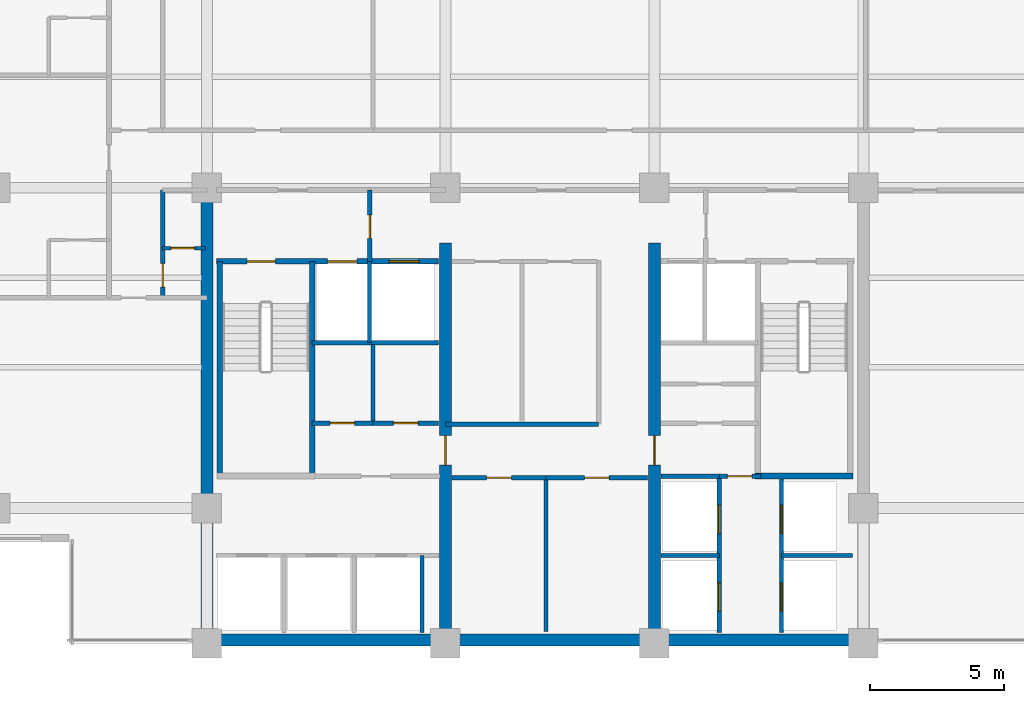
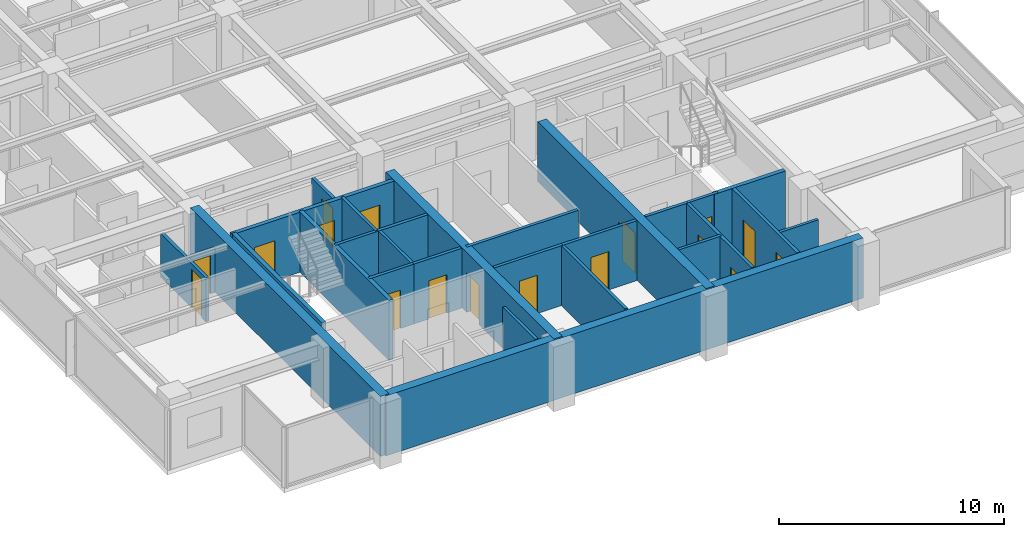
# One storey, part 7 of 15: 27 walls, 17 doors, 17 openings.
"""IFC4 building model written with IfcOpenShell, lengths in metres."""

from ifc_helpers import new_model, si_unit, direction, frame, frame_2d, origin, place, context, subcontext, project, spatial, rectangle, extrude, material, layer, layer_set, type_object, element, fill, save


model = new_model("IFC4")

# Units and contexts
model_context = context("Model", 3, precision=1e-05, world=origin(), true_north=direction((0.0, 1.0)))
body_context = subcontext(model_context, "Body", "Model", "MODEL_VIEW")
ifc_project = project(units=[si_unit("LENGTHUNIT", "METRE"), si_unit("AREAUNIT", "SQUARE_METRE"), si_unit("VOLUMEUNIT", "CUBIC_METRE"), si_unit("PLANEANGLEUNIT", "RADIAN"), si_unit("MASSUNIT", "GRAM", prefix="KILO")], contexts=[model_context])

# Site, building, storey
site_placement = place(None, origin())
site = spatial("IfcSite", under=ifc_project, at=site_placement, CompositionType="ELEMENT")
building_placement = place(site_placement, origin())
building = spatial("IfcBuilding", under=site, at=building_placement, Name="Qalmaran Belvedere Hotel", CompositionType="ELEMENT")
storey_placement = place(building_placement, frame((0.0, 0.0, 173.60009765625)))
storey = spatial("IfcBuildingStorey", under=building, at=storey_placement, Name="L44", CompositionType="ELEMENT", Elevation=173.60009765625)

# Wall
ifc_material_1 = material(Name="Concrete C50/60", Category="concrete")
ifc_layer_1 = layer(ifc_material_1, 0.449951171875, Name="Concrete C50/60")
ifc_layer_set_1 = layer_set([ifc_layer_1], Name="Concrete C50/60")
wall_type_1 = type_object("IfcWallType", Name="WL-CORE-450-C50", PredefinedType="SHEAR", material=ifc_layer_set_1)
wall_1_placement = place(storey_placement, frame((20.300048828125, 3.5, 0.0), z_axis=(0.0, 0.0, 1.0), x_axis=(0.0, 1.0, 0.0)))
element("IfcWall", 1, at=wall_1_placement, inside=storey, type_object=wall_type_1, Name="L44 West Core Shear Wall", PredefinedType="SHEAR", context=body_context, shape_type="SweptSolid", body=[
    extrude(rectangle(XDim=16.89990234375, YDim=0.449951171875, at=frame_2d((8.449951171875, 0.0))), origin(), (0.0, 0.0, 1.0), 3.25),
])

# Wall, opening, door
wall_2_placement = place(storey_placement, frame((29.199951171875, 3.5, 0.0), z_axis=(0.0, 0.0, 1.0), x_axis=(0.0, 1.0, 0.0)))
wall_2 = element("IfcWall", 2, at=wall_2_placement, inside=storey, type_object=wall_type_1, Name="L44 Core West Spine Shear Wall", PredefinedType="SHEAR", context=body_context, shape_type="SweptSolid", body=[
    extrude(rectangle(XDim=14.949951171875, YDim=0.449951171875, at=frame_2d((7.47509765625, 0.0))), origin(), (0.0, 0.0, 1.0), 3.25),
])
opening_1_placement = place(wall_2_placement, frame((7.75, 0.0, 0.0), z_axis=(0.0, 0.0, 1.0), x_axis=(-1.0, 0.0, 0.0)))
opening_1 = element("IfcOpeningElement", 3, at=opening_1_placement, cuts=wall_2, Name="Opening FD90", PredefinedType="OPENING", context=body_context, shape_type="SweptSolid", body=[
    extrude(rectangle(XDim=1.10009765625, YDim=2.14990234375, at=frame_2d((0.550048828125, 1.074951171875))), frame((0.0, 0.23486328125, 0.0), z_axis=(0.0, -1.0, 0.0), x_axis=(1.0, 0.0, 0.0)), (0.0, 0.0, 1.0), 0.469970703125),
])
ifc_material_2 = material(Name="Steel S355JR", Category="steel")
door_type_1 = type_object("IfcDoorType", Name="DR-FD90-1100X2150", OperationType="NOTDEFINED", PredefinedType="DOOR", material=ifc_material_2)
door_1_placement = place(opening_1_placement, origin())
door_1 = element("IfcDoor", 4, at=door_1_placement, inside=storey, type_object=door_type_1, Name="L44 Core West Cross-Lobby Door", OperationType="SINGLE_SWING_LEFT", OverallHeight=2.14990234375, OverallWidth=1.10009765625, PredefinedType="DOOR", context=body_context, shape_type="SweptSolid", body=[
    extrude(rectangle(XDim=1.10009765625, YDim=2.14990234375, at=frame_2d((0.550048828125, 1.074951171875))), frame((0.0, 0.02490234375, 0.0), z_axis=(0.0, -1.0, 0.0), x_axis=(1.0, 0.0, 0.0)), (0.0, 0.0, 1.0), 0.050048828125),
])
fill(opening_1, door_1)

wall_3_placement = place(storey_placement, frame((37.0, 3.5, 0.0), z_axis=(0.0, 0.0, 1.0), x_axis=(0.0, 1.0, 0.0)))
wall_3 = element("IfcWall", 5, at=wall_3_placement, inside=storey, type_object=wall_type_1, Name="L44 Core East Spine Shear Wall", PredefinedType="SHEAR", context=body_context, shape_type="SweptSolid", body=[
    extrude(rectangle(XDim=14.949951171875, YDim=0.449951171875, at=frame_2d((7.47509765625, 0.0))), origin(), (0.0, 0.0, 1.0), 3.25),
])
opening_2_placement = place(wall_3_placement, frame((6.64990234375, 0.0, 0.0)))
opening_2 = element("IfcOpeningElement", 6, at=opening_2_placement, cuts=wall_3, Name="Opening FD90", PredefinedType="OPENING", context=body_context, shape_type="SweptSolid", body=[
    extrude(rectangle(XDim=1.10009765625, YDim=2.14990234375, at=frame_2d((0.550048828125, 1.074951171875))), frame((0.0, 0.23486328125, 0.0), z_axis=(0.0, -1.0, 0.0), x_axis=(1.0, 0.0, 0.0)), (0.0, 0.0, 1.0), 0.469970703125),
])
door_2_placement = place(opening_2_placement, origin())
door_2 = element("IfcDoor", 7, at=door_2_placement, inside=storey, type_object=door_type_1, Name="L44 Core East Cross-Lobby Door", OperationType="SINGLE_SWING_RIGHT", OverallHeight=2.14990234375, OverallWidth=1.10009765625, PredefinedType="DOOR", context=body_context, shape_type="SweptSolid", body=[
    extrude(rectangle(XDim=1.10009765625, YDim=2.14990234375, at=frame_2d((0.550048828125, 1.074951171875))), frame((0.0, 0.02490234375, 0.0), z_axis=(0.0, -1.0, 0.0), x_axis=(1.0, 0.0, 0.0)), (0.0, 0.0, 1.0), 0.050048828125),
])
fill(opening_2, door_2)

# Wall
ifc_layer_2 = layer(ifc_material_1, 0.43994140625, Name="Concrete C50/60")
ifc_layer_set_2 = layer_set([ifc_layer_2], Name="Concrete C50/60")
wall_type_2 = type_object("IfcWallType", Name="WL-CORES-440-EXT", PredefinedType="SHEAR", material=ifc_layer_set_2)
wall_4_placement = place(storey_placement, frame((20.300048828125, 3.6298828125, 0.0), z_axis=(0.0, 0.0, 1.0), x_axis=(1.0, 0.0, 0.0)))
element("IfcWall", 8, at=wall_4_placement, inside=storey, type_object=wall_type_2, Name="L44 South Core Shear Wall", PredefinedType="SHEAR", context=body_context, shape_type="SweptSolid", body=[
    extrude(rectangle(XDim=24.5, YDim=0.43994140625, at=frame_2d((12.25, 0.0))), origin(), (0.0, 0.0, 1.0), 3.25),
])

# Wall, opening, door
ifc_material_3 = material(Name="Gypsum Stud Partition")
ifc_layer_3 = layer(ifc_material_3, 0.139892578125, Name="Gypsum Stud Partition")
ifc_layer_set_3 = layer_set([ifc_layer_3], Name="Gypsum Stud Partition")
wall_type_3 = type_object("IfcWallType", Name="WL-INT-140-NR", PredefinedType="PARTITIONING", material=ifc_layer_set_3)
wall_5_placement = place(storey_placement, frame((18.64990234375, 18.25, 0.0), z_axis=(0.0, 0.0, 1.0), x_axis=(1.0, 0.0, 0.0)))
wall_5 = element("IfcWall", 9, at=wall_5_placement, inside=storey, type_object=wall_type_3, Name="L44 Partition WL-L44-WCLSUB", PredefinedType="PARTITIONING", context=body_context, shape_type="SweptSolid", body=[
    extrude(rectangle(XDim=1.60009765625, YDim=0.139892578125, at=frame_2d((0.800048828125, 0.0))), origin(), (0.0, 0.0, 1.0), 2.3798828125),
])
opening_3_placement = place(wall_5_placement, frame((1.193115234375, 0.0, 0.0), z_axis=(0.0, 0.0, 1.0), x_axis=(-1.0, 0.0, 0.0)))
opening_3 = element("IfcOpeningElement", 10, at=opening_3_placement, cuts=wall_5, Name="Opening D-BATH", PredefinedType="OPENING", context=body_context, shape_type="SweptSolid", body=[
    extrude(rectangle(XDim=0.8798828125, YDim=2.080078125, at=frame_2d((0.43994140625, 1.0400390625))), frame((0.0, 0.080078125, 0.0), z_axis=(0.0, -1.0, 0.0), x_axis=(1.0, 0.0, 0.0)), (0.0, 0.0, 1.0), 0.159912109375),
])
ifc_material_4 = material(Name="Engineered Oak Veneer")
door_type_2 = type_object("IfcDoorType", Name="DR-INT-BATH-880X2080", OperationType="NOTDEFINED", PredefinedType="DOOR", material=ifc_material_4)
door_3_placement = place(opening_3_placement, origin())
door_3 = element("IfcDoor", 11, at=door_3_placement, inside=storey, type_object=door_type_2, Name="L44 Closet Alcove Door", OperationType="SINGLE_SWING_LEFT", OverallHeight=2.080078125, OverallWidth=0.8798828125, PredefinedType="DOOR", context=body_context, shape_type="SweptSolid", body=[
    extrude(rectangle(XDim=0.8798828125, YDim=2.080078125, at=frame_2d((0.43994140625, 1.0400390625))), frame((0.0, 0.02490234375, 0.0), z_axis=(0.0, -1.0, 0.0), x_axis=(1.0, 0.0, 0.0)), (0.0, 0.0, 1.0), 0.050048828125),
])
fill(opening_3, door_3)

# Walls
ifc_layer_4 = layer(ifc_material_3, 0.14990234375, Name="Gypsum Stud Partition")
ifc_layer_set_4 = layer_set([ifc_layer_4], Name="Gypsum Stud Partition")
wall_type_4 = type_object("IfcWallType", Name="WL-INT-150-EI120", PredefinedType="PARTITIONING", material=ifc_layer_set_4)
wall_6_placement = place(storey_placement, frame((26.360107421875, 14.719970703125, 0.0), z_axis=(0.0, 0.0, 1.0), x_axis=(0.0, 1.0, 0.0)))
element("IfcWall", 12, at=wall_6_placement, inside=storey, type_object=wall_type_4, Name="L44 Partition WL-FF1M-L44", PredefinedType="PARTITIONING", context=body_context, shape_type="SweptSolid", body=[
    extrude(rectangle(XDim=3.0400390625, YDim=0.14990234375, at=frame_2d((1.52001953125, 0.0))), origin(), (0.0, 0.0, 1.0), 3.25),
])
wall_7_placement = place(storey_placement, frame((28.320068359375, 3.89990234375, 0.0), z_axis=(0.0, 0.0, 1.0), x_axis=(0.0, 1.0, 0.0)))
element("IfcWall", 13, at=wall_7_placement, inside=storey, type_object=wall_type_4, Name="L44 Partition WL-POM3-L44", PredefinedType="PARTITIONING", context=body_context, shape_type="SweptSolid", body=[
    extrude(rectangle(XDim=2.880126953125, YDim=0.14990234375, at=frame_2d((1.43994140625, 0.0))), origin(), (0.0, 0.0, 1.0), 3.25),
])
wall_8_placement = place(storey_placement, frame((37.25, 6.780029296875, 0.0), z_axis=(0.0, 0.0, 1.0), x_axis=(1.0, 0.0, 0.0)))
element("IfcWall", 14, at=wall_8_placement, inside=storey, type_object=wall_type_4, Name="L44 Partition WL-PHMW-L44", PredefinedType="PARTITIONING", context=body_context, shape_type="SweptSolid", body=[
    extrude(rectangle(XDim=2.169921875, YDim=0.14990234375, at=frame_2d((1.0849609375, 0.0))), origin(), (0.0, 0.0, 1.0), 3.25),
])
wall_9_placement = place(storey_placement, frame((41.739990234375, 6.780029296875, 0.0), z_axis=(0.0, 0.0, 1.0), x_axis=(1.0, 0.0, 0.0)))
element("IfcWall", 15, at=wall_9_placement, inside=storey, type_object=wall_type_4, Name="L44 Partition WL-PHME-L44", PredefinedType="PARTITIONING", context=body_context, shape_type="SweptSolid", body=[
    extrude(rectangle(XDim=2.659912109375, YDim=0.14990234375, at=frame_2d((1.330078125, 0.0))), origin(), (0.0, 0.0, 1.0), 2.3798828125),
])
ifc_layer_5 = layer(ifc_material_3, 0.14990234375, Name="Gypsum Stud Partition")
ifc_layer_set_5 = layer_set([ifc_layer_5], Name="Gypsum Stud Partition")
wall_type_5 = type_object("IfcWallType", Name="WL-INT-150-EI60", PredefinedType="PARTITIONING", material=ifc_layer_set_5)
wall_10_placement = place(storey_placement, frame((26.490478515625, 11.719970703125, 0.0), z_axis=(0.0, 0.0, 1.0), x_axis=(0.0, 1.0, 0.0)))
element("IfcWall", 16, at=wall_10_placement, inside=storey, type_object=wall_type_5, Name="L44 Partition WL-L44-KWV1", PredefinedType="PARTITIONING", context=body_context, shape_type="SweptSolid", body=[
    extrude(rectangle(XDim=2.929931640625, YDim=0.14990234375, at=frame_2d((1.46484375, 0.0))), origin(), (0.0, 0.0, 1.0), 3.25),
])
wall_11_placement = place(storey_placement, frame((32.9541015625, 3.949951171875, 0.0), z_axis=(0.0, 0.0, 1.0), x_axis=(0.0, 1.0, 0.0)))
element("IfcWall", 17, at=wall_11_placement, inside=storey, type_object=wall_type_5, Name="L44 Partition WL-L44-KPLV1", PredefinedType="PARTITIONING", context=body_context, shape_type="SweptSolid", body=[
    extrude(rectangle(XDim=5.72998046875, YDim=0.14990234375, at=frame_2d((2.864990234375, 0.0))), origin(), (0.0, 0.0, 1.0), 3.25),
])

# Wall, opening, door
ifc_layer_6 = layer(ifc_material_3, 0.159912109375, Name="Gypsum Stud Partition")
ifc_layer_set_6 = layer_set([ifc_layer_6], Name="Gypsum Stud Partition")
wall_type_6 = type_object("IfcWallType", Name="WL-INT-160-EI120", PredefinedType="PARTITIONING", material=ifc_layer_set_6)
wall_12_placement = place(storey_placement, frame((26.3798828125, 17.760009765625, 0.0), z_axis=(0.0, 0.0, 1.0), x_axis=(0.0, 1.0, 0.0)))
wall_12 = element("IfcWall", 18, at=wall_12_placement, inside=storey, type_object=wall_type_6, Name="L44 Partition WL-FFSV1-L44", PredefinedType="PARTITIONING", context=body_context, shape_type="SweptSolid", body=[
    extrude(rectangle(XDim=2.659912109375, YDim=0.159912109375, at=frame_2d((1.330078125, 0.0))), origin(), (0.0, 0.0, 1.0), 2.69189453125),
])
opening_4_placement = place(wall_12_placement, frame((0.85009765625, 0.0, 0.0)))
opening_4 = element("IfcOpeningElement", 19, at=opening_4_placement, cuts=wall_12, Name="Opening FD60B", PredefinedType="OPENING", context=body_context, shape_type="SweptSolid", body=[
    extrude(rectangle(XDim=0.8798828125, YDim=2.080078125, at=frame_2d((0.43994140625, 1.0400390625))), frame((0.0, 0.08984375, 0.0), z_axis=(0.0, -1.0, 0.0), x_axis=(1.0, 0.0, 0.0)), (0.0, 0.0, 1.0), 0.179931640625),
])
door_type_3 = type_object("IfcDoorType", Name="DR-FD60B-880X2080", OperationType="NOTDEFINED", PredefinedType="DOOR", material=ifc_material_2)
door_4_placement = place(opening_4_placement, origin())
door_4 = element("IfcDoor", 20, at=door_4_placement, inside=storey, type_object=door_type_3, Name="L44 Service Lobby West Door", OperationType="SINGLE_SWING_LEFT", OverallHeight=2.080078125, OverallWidth=0.8798828125, PredefinedType="DOOR", context=body_context, shape_type="SweptSolid", body=[
    extrude(rectangle(XDim=0.8798828125, YDim=2.080078125, at=frame_2d((0.43994140625, 1.0400390625))), frame((0.0, 0.02490234375, 0.0), z_axis=(0.0, -1.0, 0.0), x_axis=(1.0, 0.0, 0.0)), (0.0, 0.0, 1.0), 0.050048828125),
])
fill(opening_4, door_4)

# Wall
wall_13_placement = place(storey_placement, frame((24.219970703125, 14.719970703125, 0.0), z_axis=(0.0, 0.0, 1.0), x_axis=(1.0, 0.0, 0.0)))
element("IfcWall", 21, at=wall_13_placement, inside=storey, type_object=wall_type_6, Name="L44 Partition WL-FF1S-L44", PredefinedType="PARTITIONING", context=body_context, shape_type="SweptSolid", body=[
    extrude(rectangle(XDim=4.72998046875, YDim=0.159912109375, at=frame_2d((2.364990234375, 0.0))), origin(), (0.0, 0.0, 1.0), 3.25),
])

# Wall, openings, doors
wall_14_placement = place(storey_placement, frame((39.419921875, 3.89990234375, 0.0), z_axis=(0.0, 0.0, 1.0), x_axis=(0.0, 1.0, 0.0)))
wall_14 = element("IfcWall", 22, at=wall_14_placement, inside=storey, type_object=wall_type_6, Name="L44 Partition WL-PHW-L44", PredefinedType="PARTITIONING", context=body_context, shape_type="SweptSolid", body=[
    extrude(rectangle(XDim=5.840087890625, YDim=0.159912109375, at=frame_2d((2.919921875, 0.0))), origin(), (0.0, 0.0, 1.0), 3.25),
])
opening_5_placement = place(wall_14_placement, frame((1.860107421875, 0.0, 0.0), z_axis=(0.0, 0.0, 1.0), x_axis=(-1.0, 0.0, 0.0)))
opening_5 = element("IfcOpeningElement", 23, at=opening_5_placement, cuts=wall_14, Name="Opening LD-P2", PredefinedType="OPENING", context=body_context, shape_type="SweptSolid", body=[
    extrude(rectangle(XDim=1.06005859375, YDim=2.159912109375, at=frame_2d((0.530029296875, 1.080078125))), frame((0.0, 0.08984375, 0.0), z_axis=(0.0, -1.0, 0.0), x_axis=(1.0, 0.0, 0.0)), (0.0, 0.0, 1.0), 0.179931640625),
])
opening_6_placement = place(wall_14_placement, frame((4.760009765625, 0.0, 0.0), z_axis=(0.0, 0.0, 1.0), x_axis=(-1.0, 0.0, 0.0)))
opening_6 = element("IfcOpeningElement", 24, at=opening_6_placement, cuts=wall_14, Name="Opening LD-P2", PredefinedType="OPENING", context=body_context, shape_type="SweptSolid", body=[
    extrude(rectangle(XDim=1.06005859375, YDim=2.159912109375, at=frame_2d((0.530029296875, 1.080078125))), frame((0.0, 0.08984375, 0.0), z_axis=(0.0, -1.0, 0.0), x_axis=(1.0, 0.0, 0.0)), (0.0, 0.0, 1.0), 0.179931640625),
])
ifc_material_5 = material(Name="Stainless Steel 1.4401", Category="steel")
door_type_4 = type_object("IfcDoorType", Name="DR-LIFT-P2-1060X2160", OperationType="DOUBLE_DOOR_SLIDING", PredefinedType="DOOR", material=ifc_material_5)
door_5_placement = place(opening_5_placement, origin())
door_5 = element("IfcDoor", 25, at=door_5_placement, inside=storey, type_object=door_type_4, Name="L44 PH1 Lift Landing Door", OperationType="DOUBLE_DOOR_SLIDING", OverallHeight=2.159912109375, OverallWidth=1.06005859375, PredefinedType="DOOR", context=body_context, shape_type="SweptSolid", body=[
    extrude(rectangle(XDim=1.06005859375, YDim=2.159912109375, at=frame_2d((0.530029296875, 1.080078125))), frame((0.0, 0.02490234375, 0.0), z_axis=(0.0, -1.0, 0.0), x_axis=(1.0, 0.0, 0.0)), (0.0, 0.0, 1.0), 0.050048828125),
])
fill(opening_5, door_5)
door_6_placement = place(opening_6_placement, origin())
door_6 = element("IfcDoor", 26, at=door_6_placement, inside=storey, type_object=door_type_4, Name="L44 PH2 Lift Landing Door", OperationType="DOUBLE_DOOR_SLIDING", OverallHeight=2.159912109375, OverallWidth=1.06005859375, PredefinedType="DOOR", context=body_context, shape_type="SweptSolid", body=[
    extrude(rectangle(XDim=1.06005859375, YDim=2.159912109375, at=frame_2d((0.530029296875, 1.080078125))), frame((0.0, 0.02490234375, 0.0), z_axis=(0.0, -1.0, 0.0), x_axis=(1.0, 0.0, 0.0)), (0.0, 0.0, 1.0), 0.050048828125),
])
fill(opening_6, door_6)

wall_15_placement = place(storey_placement, frame((41.739990234375, 3.89990234375, 0.0), z_axis=(0.0, 0.0, 1.0), x_axis=(0.0, 1.0, 0.0)))
wall_15 = element("IfcWall", 27, at=wall_15_placement, inside=storey, type_object=wall_type_6, Name="L44 Partition WL-PHE-L44", PredefinedType="PARTITIONING", context=body_context, shape_type="SweptSolid", body=[
    extrude(rectangle(XDim=5.840087890625, YDim=0.159912109375, at=frame_2d((2.919921875, 0.0))), origin(), (0.0, 0.0, 1.0), 3.25),
])
opening_7_placement = place(wall_15_placement, frame((0.800048828125, 0.0, 0.0)))
opening_7 = element("IfcOpeningElement", 28, at=opening_7_placement, cuts=wall_15, Name="Opening LD-P2", PredefinedType="OPENING", context=body_context, shape_type="SweptSolid", body=[
    extrude(rectangle(XDim=1.06005859375, YDim=2.159912109375, at=frame_2d((0.530029296875, 1.080078125))), frame((0.0, 0.08984375, 0.0), z_axis=(0.0, -1.0, 0.0), x_axis=(1.0, 0.0, 0.0)), (0.0, 0.0, 1.0), 0.179931640625),
])
opening_8_placement = place(wall_15_placement, frame((3.699951171875, 0.0, 0.0)))
opening_8 = element("IfcOpeningElement", 29, at=opening_8_placement, cuts=wall_15, Name="Opening LD-P2", PredefinedType="OPENING", context=body_context, shape_type="SweptSolid", body=[
    extrude(rectangle(XDim=1.06005859375, YDim=2.159912109375, at=frame_2d((0.530029296875, 1.080078125))), frame((0.0, 0.08984375, 0.0), z_axis=(0.0, -1.0, 0.0), x_axis=(1.0, 0.0, 0.0)), (0.0, 0.0, 1.0), 0.179931640625),
])
door_7_placement = place(opening_7_placement, origin())
door_7 = element("IfcDoor", 30, at=door_7_placement, inside=storey, type_object=door_type_4, Name="L44 PH3 Lift Landing Door", OperationType="DOUBLE_DOOR_SLIDING", OverallHeight=2.159912109375, OverallWidth=1.06005859375, PredefinedType="DOOR", context=body_context, shape_type="SweptSolid", body=[
    extrude(rectangle(XDim=1.06005859375, YDim=2.159912109375, at=frame_2d((0.530029296875, 1.080078125))), frame((0.0, 0.02490234375, 0.0), z_axis=(0.0, -1.0, 0.0), x_axis=(1.0, 0.0, 0.0)), (0.0, 0.0, 1.0), 0.050048828125),
])
fill(opening_7, door_7)
door_8_placement = place(opening_8_placement, origin())
door_8 = element("IfcDoor", 31, at=door_8_placement, inside=storey, type_object=door_type_4, Name="L44 PH4 Lift Landing Door", OperationType="DOUBLE_DOOR_SLIDING", OverallHeight=2.159912109375, OverallWidth=1.06005859375, PredefinedType="DOOR", context=body_context, shape_type="SweptSolid", body=[
    extrude(rectangle(XDim=1.06005859375, YDim=2.159912109375, at=frame_2d((0.530029296875, 1.080078125))), frame((0.0, 0.02490234375, 0.0), z_axis=(0.0, -1.0, 0.0), x_axis=(1.0, 0.0, 0.0)), (0.0, 0.0, 1.0), 0.050048828125),
])
fill(opening_8, door_8)

# Wall
wall_16_placement = place(storey_placement, frame((37.25, 9.739990234375, 0.0), z_axis=(0.0, 0.0, 1.0), x_axis=(1.0, 0.0, 0.0)))
element("IfcWall", 32, at=wall_16_placement, inside=storey, type_object=wall_type_6, Name="L44 Partition WL-PHNW-L44", PredefinedType="PARTITIONING", context=body_context, shape_type="SweptSolid", body=[
    extrude(rectangle(XDim=2.169921875, YDim=0.159912109375, at=frame_2d((1.0849609375, 0.0))), origin(), (0.0, 0.0, 1.0), 3.25),
])

# Wall, opening, door
wall_17_placement = place(storey_placement, frame((39.419921875, 9.739990234375, 0.0), z_axis=(0.0, 0.0, 1.0), x_axis=(1.0, 0.0, 0.0)))
wall_17 = element("IfcWall", 33, at=wall_17_placement, inside=storey, type_object=wall_type_6, Name="L44 Partition WL-PHNL-L44", PredefinedType="PARTITIONING", context=body_context, shape_type="SweptSolid", body=[
    extrude(rectangle(XDim=1.56005859375, YDim=0.159912109375, at=frame_2d((0.780029296875, 0.0))), origin(), (0.0, 0.0, 1.0), 3.25),
])
opening_9_placement = place(wall_17_placement, frame((0.300048828125, 0.0, 0.0)))
opening_9 = element("IfcOpeningElement", 34, at=opening_9_placement, cuts=wall_17, Name="Opening FD60S1", PredefinedType="OPENING", context=body_context, shape_type="SweptSolid", body=[
    extrude(rectangle(XDim=0.919921875, YDim=2.080078125, at=frame_2d((0.4599609375, 1.0400390625))), frame((0.0, 0.08984375, 0.0), z_axis=(0.0, -1.0, 0.0), x_axis=(1.0, 0.0, 0.0)), (0.0, 0.0, 1.0), 0.179931640625),
])
door_type_5 = type_object("IfcDoorType", Name="DR-FD60S-920X2080", OperationType="NOTDEFINED", PredefinedType="DOOR", material=ifc_material_4)
door_9_placement = place(opening_9_placement, origin())
door_9 = element("IfcDoor", 35, at=door_9_placement, inside=storey, type_object=door_type_5, Name="L44 High-Rise Lift Lobby Passage Door", OperationType="SINGLE_SWING_LEFT", OverallHeight=2.080078125, OverallWidth=0.919921875, PredefinedType="DOOR", context=body_context, shape_type="SweptSolid", body=[
    extrude(rectangle(XDim=0.919921875, YDim=2.080078125, at=frame_2d((0.4599609375, 1.0400390625))), frame((0.0, 0.02490234375, 0.0), z_axis=(0.0, -1.0, 0.0), x_axis=(1.0, 0.0, 0.0)), (0.0, 0.0, 1.0), 0.050048828125),
])
fill(opening_9, door_9)

ifc_layer_7 = layer(ifc_material_3, 0.159912109375, Name="Gypsum Stud Partition")
ifc_layer_set_7 = layer_set([ifc_layer_7], Name="Gypsum Stud Partition")
wall_type_7 = type_object("IfcWallType", Name="WL-INT-160-EI60", PredefinedType="PARTITIONING", material=ifc_layer_set_7)
wall_18_placement = place(storey_placement, frame((24.219970703125, 11.719970703125, 0.0), z_axis=(0.0, 0.0, 1.0), x_axis=(1.0, 0.0, 0.0)))
wall_18 = element("IfcWall", 36, at=wall_18_placement, inside=storey, type_object=wall_type_7, Name="L44 Partition WL-L44-KWE1", PredefinedType="PARTITIONING", context=body_context, shape_type="SweptSolid", body=[
    extrude(rectangle(XDim=2.2705078125, YDim=0.159912109375, at=frame_2d((1.13525390625, 0.0))), origin(), (0.0, 0.0, 1.0), 3.25),
])
opening_10_placement = place(wall_18_placement, frame((0.67529296875, 0.0, 0.0)))
opening_10 = element("IfcOpeningElement", 37, at=opening_10_placement, cuts=wall_18, Name="Opening FD60S1", PredefinedType="OPENING", context=body_context, shape_type="SweptSolid", body=[
    extrude(rectangle(XDim=0.919921875, YDim=2.080078125, at=frame_2d((0.4599609375, 1.0400390625))), frame((0.0, 0.08984375, 0.0), z_axis=(0.0, -1.0, 0.0), x_axis=(1.0, 0.0, 0.0)), (0.0, 0.0, 1.0), 0.179931640625),
])
door_10_placement = place(opening_10_placement, origin())
door_10 = element("IfcDoor", 38, at=door_10_placement, inside=storey, type_object=door_type_5, Name="L44 Telecom and IT Room Door", OperationType="SINGLE_SWING_RIGHT", OverallHeight=2.080078125, OverallWidth=0.919921875, PredefinedType="DOOR", context=body_context, shape_type="SweptSolid", body=[
    extrude(rectangle(XDim=0.919921875, YDim=2.080078125, at=frame_2d((0.4599609375, 1.0400390625))), frame((0.0, 0.02490234375, 0.0), z_axis=(0.0, -1.0, 0.0), x_axis=(1.0, 0.0, 0.0)), (0.0, 0.0, 1.0), 0.050048828125),
])
fill(opening_10, door_10)

wall_19_placement = place(storey_placement, frame((26.490478515625, 11.719970703125, 0.0), z_axis=(0.0, 0.0, 1.0), x_axis=(1.0, 0.0, 0.0)))
wall_19 = element("IfcWall", 39, at=wall_19_placement, inside=storey, type_object=wall_type_7, Name="L44 Partition WL-L44-KWE2", PredefinedType="PARTITIONING", context=body_context, shape_type="SweptSolid", body=[
    extrude(rectangle(XDim=2.45947265625, YDim=0.159912109375, at=frame_2d((1.229736328125, 0.0))), origin(), (0.0, 0.0, 1.0), 3.25),
])
opening_11_placement = place(wall_19_placement, frame((0.769775390625, 0.0, 0.0)))
opening_11 = element("IfcOpeningElement", 40, at=opening_11_placement, cuts=wall_19, Name="Opening FD60S1", PredefinedType="OPENING", context=body_context, shape_type="SweptSolid", body=[
    extrude(rectangle(XDim=0.919921875, YDim=2.080078125, at=frame_2d((0.4599609375, 1.0400390625))), frame((0.0, 0.08984375, 0.0), z_axis=(0.0, -1.0, 0.0), x_axis=(1.0, 0.0, 0.0)), (0.0, 0.0, 1.0), 0.179931640625),
])
door_11_placement = place(opening_11_placement, origin())
door_11 = element("IfcDoor", 41, at=door_11_placement, inside=storey, type_object=door_type_5, Name="L44 Cleaner Supply Store Door", OperationType="SINGLE_SWING_LEFT", OverallHeight=2.080078125, OverallWidth=0.919921875, PredefinedType="DOOR", context=body_context, shape_type="SweptSolid", body=[
    extrude(rectangle(XDim=0.919921875, YDim=2.080078125, at=frame_2d((0.4599609375, 1.0400390625))), frame((0.0, 0.02490234375, 0.0), z_axis=(0.0, -1.0, 0.0), x_axis=(1.0, 0.0, 0.0)), (0.0, 0.0, 1.0), 0.050048828125),
])
fill(opening_11, door_11)

wall_20_placement = place(storey_placement, frame((29.449951171875, 9.679931640625, 0.0), z_axis=(0.0, 0.0, 1.0), x_axis=(1.0, 0.0, 0.0)))
wall_20 = element("IfcWall", 42, at=wall_20_placement, inside=storey, type_object=wall_type_7, Name="L44 Partition WL-L44-KPLE1", PredefinedType="PARTITIONING", context=body_context, shape_type="SweptSolid", body=[
    extrude(rectangle(XDim=3.504150390625, YDim=0.159912109375, at=frame_2d((1.751953125, 0.0))), origin(), (0.0, 0.0, 1.0), 3.25),
])
opening_12_placement = place(wall_20_placement, frame((2.2119140625, 0.0, 0.0), z_axis=(0.0, 0.0, 1.0), x_axis=(-1.0, 0.0, 0.0)))
opening_12 = element("IfcOpeningElement", 43, at=opening_12_placement, cuts=wall_20, Name="Opening FD60S1", PredefinedType="OPENING", context=body_context, shape_type="SweptSolid", body=[
    extrude(rectangle(XDim=0.919921875, YDim=2.080078125, at=frame_2d((0.4599609375, 1.0400390625))), frame((0.0, 0.08984375, 0.0), z_axis=(0.0, -1.0, 0.0), x_axis=(1.0, 0.0, 0.0)), (0.0, 0.0, 1.0), 0.179931640625),
])
door_12_placement = place(opening_12_placement, origin())
door_12 = element("IfcDoor", 44, at=door_12_placement, inside=storey, type_object=door_type_5, Name="L44 Hotel Butler Service Pantry Door", OperationType="SINGLE_SWING_RIGHT", OverallHeight=2.080078125, OverallWidth=0.919921875, PredefinedType="DOOR", context=body_context, shape_type="SweptSolid", body=[
    extrude(rectangle(XDim=0.919921875, YDim=2.080078125, at=frame_2d((0.4599609375, 1.0400390625))), frame((0.0, 0.02490234375, 0.0), z_axis=(0.0, -1.0, 0.0), x_axis=(1.0, 0.0, 0.0)), (0.0, 0.0, 1.0), 0.050048828125),
])
fill(opening_12, door_12)

wall_21_placement = place(storey_placement, frame((32.9541015625, 9.679931640625, 0.0), z_axis=(0.0, 0.0, 1.0), x_axis=(1.0, 0.0, 0.0)))
wall_21 = element("IfcWall", 45, at=wall_21_placement, inside=storey, type_object=wall_type_7, Name="L44 Partition WL-L44-KPLE2", PredefinedType="PARTITIONING", context=body_context, shape_type="SweptSolid", body=[
    extrude(rectangle(XDim=3.7958984375, YDim=0.159912109375, at=frame_2d((1.89794921875, 0.0))), origin(), (0.0, 0.0, 1.0), 3.25),
])
opening_13_placement = place(wall_21_placement, frame((2.35791015625, 0.0, 0.0), z_axis=(0.0, 0.0, 1.0), x_axis=(-1.0, 0.0, 0.0)))
opening_13 = element("IfcOpeningElement", 46, at=opening_13_placement, cuts=wall_21, Name="Opening FD60S1", PredefinedType="OPENING", context=body_context, shape_type="SweptSolid", body=[
    extrude(rectangle(XDim=0.919921875, YDim=2.080078125, at=frame_2d((0.4599609375, 1.0400390625))), frame((0.0, 0.08984375, 0.0), z_axis=(0.0, -1.0, 0.0), x_axis=(1.0, 0.0, 0.0)), (0.0, 0.0, 1.0), 0.179931640625),
])
door_13_placement = place(opening_13_placement, origin())
door_13 = element("IfcDoor", 47, at=door_13_placement, inside=storey, type_object=door_type_5, Name="L44 Guest Valet Supply Store Door", OperationType="SINGLE_SWING_LEFT", OverallHeight=2.080078125, OverallWidth=0.919921875, PredefinedType="DOOR", context=body_context, shape_type="SweptSolid", body=[
    extrude(rectangle(XDim=0.919921875, YDim=2.080078125, at=frame_2d((0.4599609375, 1.0400390625))), frame((0.0, 0.02490234375, 0.0), z_axis=(0.0, -1.0, 0.0), x_axis=(1.0, 0.0, 0.0)), (0.0, 0.0, 1.0), 0.050048828125),
])
fill(opening_13, door_13)

# Wall
wall_22_placement = place(storey_placement, frame((29.199951171875, 11.679931640625, 0.0), z_axis=(0.0, 0.0, 1.0), x_axis=(1.0, 0.0, 0.0)))
element("IfcWall", 48, at=wall_22_placement, inside=storey, type_object=wall_type_7, Name="L44 Partition WL-PMFS-L44", PredefinedType="PARTITIONING", context=body_context, shape_type="SweptSolid", body=[
    extrude(rectangle(XDim=5.719970703125, YDim=0.159912109375, at=frame_2d((2.85986328125, 0.0))), origin(), (0.0, 0.0, 1.0), 3.25),
])

# Wall, opening, door
wall_23_placement = place(storey_placement, frame((18.64990234375, 16.39990234375, 0.0), z_axis=(0.0, 0.0, 1.0), x_axis=(0.0, 1.0, 0.0)))
wall_23 = element("IfcWall", 49, at=wall_23_placement, inside=storey, type_object=wall_type_7, Name="L44 Partition WL-L44-WCL", PredefinedType="PARTITIONING", context=body_context, shape_type="SweptSolid", body=[
    extrude(rectangle(XDim=4.02001953125, YDim=0.159912109375, at=frame_2d((2.010009765625, 0.0))), origin(), (0.0, 0.0, 1.0), 2.3798828125),
])
opening_14_placement = place(wall_23_placement, frame((1.27978515625, 0.0, 0.0), z_axis=(0.0, 0.0, 1.0), x_axis=(-1.0, 0.0, 0.0)))
opening_14 = element("IfcOpeningElement", 50, at=opening_14_placement, cuts=wall_23, Name="Opening FD60B", PredefinedType="OPENING", context=body_context, shape_type="SweptSolid", body=[
    extrude(rectangle(XDim=0.8798828125, YDim=2.080078125, at=frame_2d((0.43994140625, 1.0400390625))), frame((0.0, 0.08984375, 0.0), z_axis=(0.0, -1.0, 0.0), x_axis=(1.0, 0.0, 0.0)), (0.0, 0.0, 1.0), 0.179931640625),
])
door_14_placement = place(opening_14_placement, origin())
door_14 = element("IfcDoor", 51, at=door_14_placement, inside=storey, type_object=door_type_3, Name="L44 West Closet Door", OperationType="SINGLE_SWING_LEFT", OverallHeight=2.080078125, OverallWidth=0.8798828125, PredefinedType="DOOR", context=body_context, shape_type="SweptSolid", body=[
    extrude(rectangle(XDim=0.8798828125, YDim=2.080078125, at=frame_2d((0.43994140625, 1.0400390625))), frame((0.0, 0.02490234375, 0.0), z_axis=(0.0, -1.0, 0.0), x_axis=(1.0, 0.0, 0.0)), (0.0, 0.0, 1.0), 0.050048828125),
])
fill(opening_14, door_14)

# Walls
ifc_layer_8 = layer(ifc_material_1, 0.2099609375, Name="Concrete C50/60")
ifc_layer_set_8 = layer_set([ifc_layer_8], Name="Concrete C50/60")
wall_type_8 = type_object("IfcWallType", Name="WL-STAIR-210-C50", PredefinedType="SHEAR", material=ifc_layer_set_8)
for number, where, z_axis, x_axis, name in (
    (52, (20.77490234375, 9.7451171875, 0.0), (0.0, 0.0, 1.0), (0.0, 1.0, 0.0), "L44 Stair ST-1 West Bearing Wall"),
    (53, (24.22509765625, 9.7451171875, 0.0), (0.0, 0.0, 1.0), (0.0, 1.0, 0.0), "L44 Stair ST-1 East Bearing Wall"),
):
    element("IfcWall", number, at=place(storey_placement, frame(where, z_axis=z_axis, x_axis=x_axis)), inside=storey, type_object=wall_type_8, Name=name, PredefinedType="SHEAR", context=body_context, shape_type="SweptSolid", body=[
        extrude(rectangle(XDim=8.009765625, YDim=0.2099609375, at=frame_2d((4.0048828125, 0.0))), origin(), (0.0, 0.0, 1.0), 3.25),
    ])

# Wall, openings, doors
wall_24_placement = place(storey_placement, frame((20.64990234375, 17.7548828125, 0.0), z_axis=(0.0, 0.0, 1.0), x_axis=(1.0, 0.0, 0.0)))
wall_24 = element("IfcWall", 54, at=wall_24_placement, inside=storey, type_object=wall_type_8, Name="L44 West Lobby and Stair ST-1 North Bearing Wall", PredefinedType="SHEAR", context=body_context, shape_type="SweptSolid", body=[
    extrude(rectangle(XDim=8.300048828125, YDim=0.2099609375, at=frame_2d((4.14990234375, 0.0))), origin(), (0.0, 0.0, 1.0), 3.25),
])
opening_15_placement = place(wall_24_placement, frame((2.199951171875, 0.0, 0.0), z_axis=(0.0, 0.0, 1.0), x_axis=(-1.0, 0.0, 0.0)))
opening_15 = element("IfcOpeningElement", 55, at=opening_15_placement, cuts=wall_24, Name="Opening FD90S2", PredefinedType="OPENING", context=body_context, shape_type="SweptSolid", body=[
    extrude(rectangle(XDim=1.050048828125, YDim=2.14990234375, at=frame_2d((0.52490234375, 1.074951171875))), frame((0.0, 0.114990234375, 0.0), z_axis=(0.0, -1.0, 0.0), x_axis=(1.0, 0.0, 0.0)), (0.0, 0.0, 1.0), 0.22998046875),
])
opening_16_placement = place(wall_24_placement, frame((4.14990234375, 0.0, 0.0)))
opening_16 = element("IfcOpeningElement", 56, at=opening_16_placement, cuts=wall_24, Name="Opening LD-FF", PredefinedType="OPENING", context=body_context, shape_type="SweptSolid", body=[
    extrude(rectangle(XDim=1.10009765625, YDim=2.179931640625, at=frame_2d((0.550048828125, 1.08984375))), frame((0.0, 0.114990234375, 0.0), z_axis=(0.0, -1.0, 0.0), x_axis=(1.0, 0.0, 0.0)), (0.0, 0.0, 1.0), 0.22998046875),
])
opening_17_placement = place(wall_24_placement, frame((6.449951171875, 0.0, 0.0)))
opening_17 = element("IfcOpeningElement", 57, at=opening_17_placement, cuts=wall_24, Name="Opening LD-SV", PredefinedType="OPENING", context=body_context, shape_type="SweptSolid", body=[
    extrude(rectangle(XDim=1.1201171875, YDim=2.199951171875, at=frame_2d((0.56005859375, 1.10009765625))), frame((0.0, 0.114990234375, 0.0), z_axis=(0.0, -1.0, 0.0), x_axis=(1.0, 0.0, 0.0)), (0.0, 0.0, 1.0), 0.22998046875),
])
door_type_6 = type_object("IfcDoorType", Name="DR-FD90S-1050X2150", OperationType="NOTDEFINED", PredefinedType="DOOR", material=ifc_material_2)
door_15_placement = place(opening_15_placement, origin())
door_15 = element("IfcDoor", 58, at=door_15_placement, inside=storey, type_object=door_type_6, Name="L44 Stair ST-1 Door", OperationType="SINGLE_SWING_LEFT", OverallHeight=2.14990234375, OverallWidth=1.050048828125, PredefinedType="DOOR", context=body_context, shape_type="SweptSolid", body=[
    extrude(rectangle(XDim=1.050048828125, YDim=2.14990234375, at=frame_2d((0.52490234375, 1.074951171875))), frame((0.0, 0.02490234375, 0.0), z_axis=(0.0, -1.0, 0.0), x_axis=(1.0, 0.0, 0.0)), (0.0, 0.0, 1.0), 0.050048828125),
])
fill(opening_15, door_15)
door_type_7 = type_object("IfcDoorType", Name="DR-LIFT-FF-1100X2180", OperationType="DOUBLE_DOOR_SLIDING", PredefinedType="DOOR", material=ifc_material_5)
door_16_placement = place(opening_16_placement, origin())
door_16 = element("IfcDoor", 59, at=door_16_placement, inside=storey, type_object=door_type_7, Name="L44 FF1 Lift Landing Door", OperationType="DOUBLE_DOOR_SLIDING", OverallHeight=2.179931640625, OverallWidth=1.10009765625, PredefinedType="DOOR", context=body_context, shape_type="SweptSolid", body=[
    extrude(rectangle(XDim=1.10009765625, YDim=2.179931640625, at=frame_2d((0.550048828125, 1.08984375))), frame((0.0, 0.02490234375, 0.0), z_axis=(0.0, -1.0, 0.0), x_axis=(1.0, 0.0, 0.0)), (0.0, 0.0, 1.0), 0.050048828125),
])
fill(opening_16, door_16)
door_type_8 = type_object("IfcDoorType", Name="DR-LIFT-SV-1120X2200", OperationType="DOUBLE_DOOR_SLIDING", PredefinedType="DOOR", material=ifc_material_5)
door_17_placement = place(opening_17_placement, origin())
door_17 = element("IfcDoor", 60, at=door_17_placement, inside=storey, type_object=door_type_8, Name="L44 SV1 Lift Landing Door", OperationType="DOUBLE_DOOR_SLIDING", OverallHeight=2.199951171875, OverallWidth=1.1201171875, PredefinedType="DOOR", context=body_context, shape_type="SweptSolid", body=[
    extrude(rectangle(XDim=1.1201171875, YDim=2.199951171875, at=frame_2d((0.56005859375, 1.10009765625))), frame((0.0, 0.02490234375, 0.0), z_axis=(0.0, -1.0, 0.0), x_axis=(1.0, 0.0, 0.0)), (0.0, 0.0, 1.0), 0.050048828125),
])
fill(opening_17, door_17)

# Wall
wall_25_placement = place(storey_placement, frame((40.75, 9.7451171875, 0.0), z_axis=(0.0, 0.0, 1.0), x_axis=(1.0, 0.0, 0.0)))
element("IfcWall", 61, at=wall_25_placement, inside=storey, type_object=wall_type_8, Name="L44 Stair ST-2 South Bearing Wall", PredefinedType="SHEAR", context=body_context, shape_type="SweptSolid", body=[
    extrude(rectangle(XDim=3.659912109375, YDim=0.2099609375, at=frame_2d((1.830078125, 0.0))), origin(), (0.0, 0.0, 1.0), 3.25),
])

save(model, "model.ifc")
